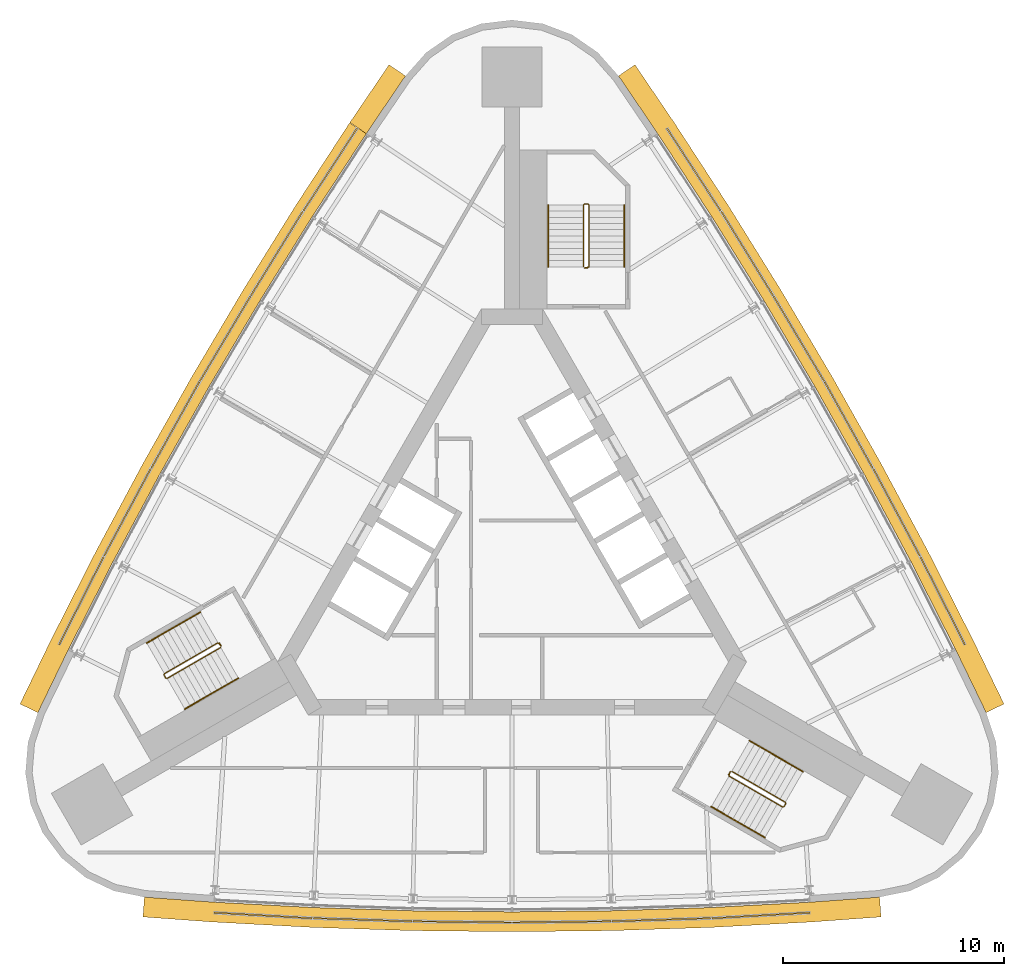
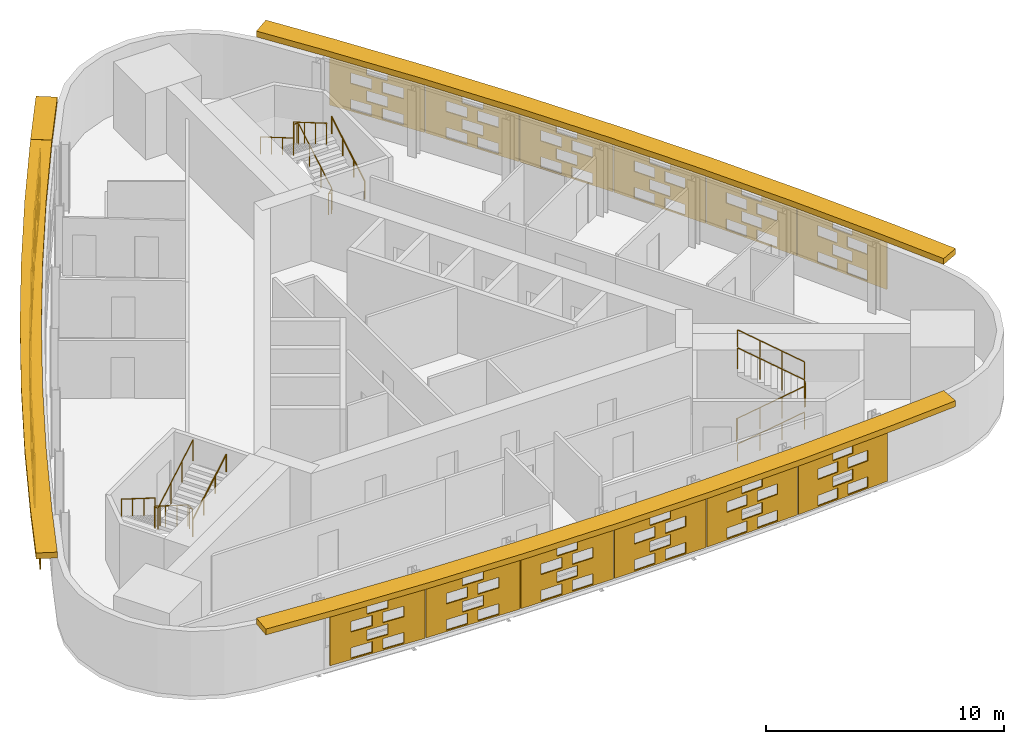
# One storey, part 10 of 10: 22 shading devices, 9 railings.
"""IFC4 building model written with IfcOpenShell, lengths in metres."""

import ifcopenshell
import ifcopenshell.guid

model = None  # the IFC model being written
_history = None  # IfcOwnerHistory: only IFC2X3 demands one
_inside = {}  # id of a spatial element -> (the spatial element, [elements in it])
_under = {}  # id of a project, library or spatial element -> (it, [spatial elements below it])
_declared = {}  # id of a project -> (the project, [libraries it declares])
_typed = {}  # id of a type object -> (the type object, [elements of that type])
_made_of = {}  # id of a material, layer set ... -> (it, [elements and type objects made of it])


def new_model(schema):
    """Start an empty IFC model of exactly this schema.

    Asked for "IFC4X3", IfcOpenShell would pick the latest addendum, in which some entities
    have other attributes; the version numbers below select the first issue.
    IFC2X3 requires an IfcOwnerHistory on every rooted entity: one is made here for all.
    """
    global model, _history
    if schema == "IFC4X3":
        model = ifcopenshell.file(schema_version=(4, 3, 0, 0))
    else:
        model = ifcopenshell.file(schema=schema)
    _inside.clear()
    _under.clear()
    _declared.clear()
    _typed.clear()
    _made_of.clear()
    _history = None
    if model.schema == "IFC2X3":
        org = make("IfcOrganization", Name="unknown")
        user = make(
            "IfcPersonAndOrganization",
            ThePerson=make("IfcPerson", FamilyName="unknown"),
            TheOrganization=org,
        )
        app = make(
            "IfcApplication",
            ApplicationDeveloper=org,
            Version="unknown",
            ApplicationFullName="unknown",
            ApplicationIdentifier="unknown",
        )
        _history = make(
            "IfcOwnerHistory",
            OwningUser=user,
            OwningApplication=app,
            ChangeAction="ADDED",
            CreationDate=0,
        )
    return model


def make(cls, **values):
    """One entity of the class cls with the attributes given. An attribute that is None is left unset."""
    return model.create_entity(
        cls, **{name: value for name, value in values.items() if value is not None}
    )


def rooted(cls, **values):
    """An entity with a GlobalId (a new one), such as an element, a storey or a relation."""
    return make(cls, GlobalId=ifcopenshell.guid.new(), OwnerHistory=_history, **values)


def si_unit(unit_type, name, prefix=None):
    """IfcSIUnit, for example si_unit("LENGTHUNIT", "METRE", prefix="MILLI")."""
    return make("IfcSIUnit", UnitType=unit_type, Prefix=prefix, Name=name)


def assignment(units):
    """IfcUnitAssignment: the units of a project."""
    return None if units is None else make("IfcUnitAssignment", Units=units)


def point(xyz):
    """IfcCartesianPoint."""
    return None if xyz is None else make("IfcCartesianPoint", Coordinates=xyz)


def direction(xyz):
    """IfcDirection."""
    return None if xyz is None else make("IfcDirection", DirectionRatios=xyz)


def frame(location, z_axis=None, x_axis=None):
    """IfcAxis2Placement3D, a coordinate frame: its origin and axes. An axis left out is left unset."""
    return make(
        "IfcAxis2Placement3D",
        Location=point(location),
        Axis=direction(z_axis),
        RefDirection=direction(x_axis),
    )


def frame_2d(location, x_axis=None):
    """IfcAxis2Placement2D, a coordinate frame in the plane: its origin and x axis."""
    return make(
        "IfcAxis2Placement2D", Location=point(location), RefDirection=direction(x_axis)
    )


def origin():
    """The frame at (0, 0, 0) with its axes left unset."""
    return frame((0.0, 0.0, 0.0))


def origin_2d():
    """The frame at (0, 0) in the plane with its x axis left unset."""
    return frame_2d((0.0, 0.0))


def place(relative_to, where):
    """IfcLocalPlacement: puts the frame where relative to a parent placement (None: the world)."""
    return make(
        "IfcLocalPlacement", PlacementRelTo=relative_to, RelativePlacement=where
    )


def context(
    kind, dimensions, precision=None, world=None, true_north=None, identifier=None
):
    """IfcGeometricRepresentationContext, for example the 3D "Model" context."""
    return make(
        "IfcGeometricRepresentationContext",
        ContextIdentifier=identifier,
        ContextType=kind,
        CoordinateSpaceDimension=dimensions,
        Precision=precision,
        WorldCoordinateSystem=world,
        TrueNorth=true_north,
    )


def subcontext(parent, identifier, kind, view, scale=None):
    """IfcGeometricRepresentationSubContext, for example "Body" below "Model"."""
    return make(
        "IfcGeometricRepresentationSubContext",
        ContextIdentifier=identifier,
        ContextType=kind,
        ParentContext=parent,
        TargetScale=scale,
        TargetView=view,
    )


def project(units=None, contexts=None):
    """IfcProject with its units and contexts."""
    return rooted(
        "IfcProject",
        Name="project",
        RepresentationContexts=contexts,
        UnitsInContext=assignment(units),
    )


def spatial(cls, under=None, at=None, **own):
    """A site, building, storey or space (cls), placed at a placement, below another one or the project."""
    s = rooted(cls, ObjectPlacement=at, **own)
    if under is not None:
        _under.setdefault(under.id(), (under, []))[1].append(s)
    return s


def polyline(points):
    """IfcPolyline through the points."""
    return make("IfcPolyline", Points=[point(p) for p in points])


def profile(cls, at=None, kind="AREA", **sizes):
    """A parametric profile (cls). Its sizes go by their IFC names, for example OverallWidth=200.0."""
    return make(cls, ProfileType=kind, Position=at, **sizes)


def circle(**sizes):
    """IfcCircleProfileDef."""
    return profile("IfcCircleProfileDef", **sizes)


def outline(outer, holes=None, kind="AREA"):
    """IfcArbitraryClosedProfileDef: a profile drawn as a closed curve; with holes, ...WithVoids."""
    if holes is None:
        return make("IfcArbitraryClosedProfileDef", ProfileType=kind, OuterCurve=outer)
    return make(
        "IfcArbitraryProfileDefWithVoids",
        ProfileType=kind,
        OuterCurve=outer,
        InnerCurves=holes,
    )


def extrude(swept, where, along, depth):
    """IfcExtrudedAreaSolid: the profile swept, set in the frame where, extruded along a direction by depth."""
    return make(
        "IfcExtrudedAreaSolid",
        SweptArea=swept,
        Position=where,
        ExtrudedDirection=direction(along),
        Depth=depth,
    )


def shape(context_of_items, identifier, shape_type, items):
    """IfcShapeRepresentation: the items that make up one representation, for example the "Body"."""
    return make(
        "IfcShapeRepresentation",
        ContextOfItems=context_of_items,
        RepresentationIdentifier=identifier,
        RepresentationType=shape_type,
        Items=items,
    )


def material(Name=None, Category=None):
    """IfcMaterial."""
    return make("IfcMaterial", Name=Name, Category=Category)


def material_profile(
    of_material, cross_section, Name=None, Category=None, Priority=None
):
    """IfcMaterialProfile: a cross section and its material."""
    return make(
        "IfcMaterialProfile",
        Name=Name,
        Material=of_material,
        Profile=cross_section,
        Priority=Priority,
        Category=Category,
    )


def profile_set(profiles, Name=None, composite=None):
    """IfcMaterialProfileSet."""
    return make(
        "IfcMaterialProfileSet",
        Name=Name,
        MaterialProfiles=profiles,
        CompositeProfile=composite,
    )


def made_of(thing, what):
    """Note that an element or type object is made of a material, layer set ...; save() writes the relation."""
    if what is not None:
        _made_of.setdefault(what.id(), (what, []))[1].append(thing)
    return thing


def type_object(cls, material=None, **own):
    """A type object (cls), such as IfcWallType, which elements share."""
    return made_of(rooted(cls, **own), material)


def element(
    cls,
    number,
    at=None,
    inside=None,
    cuts=None,
    type_object=None,
    material=None,
    context=None,
    identifier="Body",
    shape_type=None,
    held_by="IfcProductDefinitionShape",
    body=None,
    shapes=None,
    **own,
):
    """One element of the class cls, such as IfcWall. Its Tag is "e" and its number.

    at: its placement. inside: the storey or other place that contains it. cuts: it is an
    opening in that element (IfcRelVoidsElement). A single representation is given by context,
    identifier, shape_type and body (its items); several are given by shapes. held_by: the class
    of the entity that holds the representations. save() writes the other relations.
    """
    e = rooted(cls, Tag="e%d" % number, ObjectPlacement=at, **own)
    if body is not None:
        shapes = [shape(context, identifier, shape_type, body)]
    if shapes is not None:
        e.Representation = make(held_by, Representations=shapes)
    if inside is not None:
        _inside.setdefault(inside.id(), (inside, []))[1].append(e)
    if cuts is not None:
        rooted(
            "IfcRelVoidsElement", RelatingBuildingElement=cuts, RelatedOpeningElement=e
        )
    if type_object is not None:
        _typed.setdefault(type_object.id(), (type_object, []))[1].append(e)
    return made_of(e, material)


def aggregate(whole, parts):
    """IfcRelAggregates: a whole, such as a stair, and the parts it consists of."""
    return rooted("IfcRelAggregates", RelatingObject=whole, RelatedObjects=parts)


def save(model, path):
    """Write the relations noted so far, then the file.

    IfcRelAggregates (storeys below a building ...), IfcRelContainedInSpatialStructure (elements
    in a storey), IfcRelDefinesByType, IfcRelAssociatesMaterial and IfcRelDeclares: one each for
    every whole, place, type object, material and project.
    """
    for whole, parts in _under.values():
        aggregate(whole, parts)
    for where, things in _inside.values():
        rooted(
            "IfcRelContainedInSpatialStructure",
            RelatedElements=things,
            RelatingStructure=where,
        )
    for kind, things in _typed.values():
        rooted("IfcRelDefinesByType", RelatedObjects=things, RelatingType=kind)
    for what, things in _made_of.values():
        rooted("IfcRelAssociatesMaterial", RelatedObjects=things, RelatingMaterial=what)
    for by, libraries in _declared.values():
        rooted("IfcRelDeclares", RelatingContext=by, RelatedDefinitions=libraries)
    model.write(path)


model = new_model("IFC4")

# Units and contexts
model_context = context("Model", 3, precision=1e-05, world=origin(), true_north=direction((0.0, 1.0)))
body_context = subcontext(model_context, "Body", "Model", "MODEL_VIEW")
ifc_project = project(units=[si_unit("LENGTHUNIT", "METRE"), si_unit("AREAUNIT", "SQUARE_METRE"), si_unit("VOLUMEUNIT", "CUBIC_METRE"), si_unit("PLANEANGLEUNIT", "RADIAN"), si_unit("MASSUNIT", "GRAM", prefix="KILO")], contexts=[model_context])

# Site, building, storey
site_placement = place(None, origin())
site = spatial("IfcSite", under=ifc_project, at=site_placement, CompositionType="ELEMENT")
building_placement = place(site_placement, origin())
building = spatial("IfcBuilding", under=site, at=building_placement, Name="Noor Cloister Tower", CompositionType="ELEMENT")
storey_placement = place(building_placement, frame((0.0, 0.0, 199.5)))
storey = spatial("IfcBuildingStorey", under=building, at=storey_placement, Name="L51", CompositionType="ELEMENT", Elevation=199.5)

# Shading devices
ifc_material_1 = material(Name="Limestone", Category="masonry")
ifc_material_profile = material_profile(ifc_material_1, outline(polyline([(-2.22998046875, -1.35009765625), (2.22998046875, -1.35009765625), (2.22998046875, 1.35009765625), (-2.22998046875, 1.35009765625), (-2.22998046875, -1.35009765625)]), holes=[polyline([(-1.25, -1.282470703125), (-0.25, -1.282470703125), (-0.25, -0.742431640625), (-1.25, -0.742431640625), (-1.25, -1.282470703125)]), polyline([(0.25, -1.282470703125), (1.25, -1.282470703125), (1.25, -0.742431640625), (0.25, -0.742431640625), (0.25, -1.282470703125)]), polyline([(-0.5, -0.607421875), (0.5, -0.607421875), (0.5, -0.0673828125), (-0.5, -0.0673828125), (-0.5, -0.607421875)]), polyline([(-1.25, 0.0673828125), (-0.25, 0.0673828125), (-0.25, 0.607421875), (-1.25, 0.607421875), (-1.25, 0.0673828125)]), polyline([(0.25, 0.0673828125), (1.25, 0.0673828125), (1.25, 0.607421875), (0.25, 0.607421875), (0.25, 0.0673828125)]), polyline([(-0.5, 0.742431640625), (0.5, 0.742431640625), (0.5, 1.282470703125), (-0.5, 1.282470703125), (-0.5, 0.742431640625)])]), Name="Woven screen 32 percent open")
ifc_profile_set = profile_set([ifc_material_profile], Name="Limestone")
shading_device_type_1 = type_object("IfcShadingDeviceType", Name="SCREEN woven limestone 32 percent open", PredefinedType="USERDEFINED", material=ifc_profile_set)
for number, where, z_axis, x_axis, name in (
    (1, (-8.20068359375, 17.74609375, 1.85009765625), (-0.838257628123, 0.545274379459, 0.0), (-0.545274379459, -0.838257628123, 0.0), "SCREEN L51 1"),
    (2, (-10.622314453125, 13.942138671875, 1.85009765625), (-0.850958576931, 0.525232805857, 0.0), (-0.525232805857, -0.850958576931, 0.0), "SCREEN L51 2"),
):
    element("IfcShadingDevice", number, at=place(storey_placement, frame(where, z_axis=z_axis, x_axis=x_axis)), inside=storey, type_object=shading_device_type_1, Name=name, ObjectType="SCREEN", PredefinedType="USERDEFINED", context=body_context, shape_type="SweptSolid", body=[
        extrude(outline(polyline([(-2.22998046875, -1.35009765625), (2.22998046875, -1.35009765625), (2.22998046875, 1.35009765625), (-2.22998046875, 1.35009765625), (-2.22998046875, -1.35009765625)]), holes=[polyline([(-1.25, -1.282470703125), (-0.25, -1.282470703125), (-0.25, -0.742431640625), (-1.25, -0.742431640625), (-1.25, -1.282470703125)]), polyline([(0.25, -1.282470703125), (1.25, -1.282470703125), (1.25, -0.742431640625), (0.25, -0.742431640625), (0.25, -1.282470703125)]), polyline([(-0.5, -0.607421875), (0.5, -0.607421875), (0.5, -0.0673828125), (-0.5, -0.0673828125), (-0.5, -0.607421875)]), polyline([(-1.25, 0.0673828125), (-0.25, 0.0673828125), (-0.25, 0.607421875), (-1.25, 0.607421875), (-1.25, 0.0673828125)]), polyline([(0.25, 0.0673828125), (1.25, 0.0673828125), (1.25, 0.607421875), (0.25, 0.607421875), (0.25, 0.0673828125)]), polyline([(-0.5, 0.742431640625), (0.5, 0.742431640625), (0.5, 1.282470703125), (-0.5, 1.282470703125), (-0.5, 0.742431640625)])]), origin(), (0.0, 0.0, 1.0), 0.06005859375),
    ])
shading_device_1_placement = place(storey_placement, frame((-12.9609375, 10.08642578125, 1.85009765625), z_axis=(-0.85963215675, 0.510913451654, 0.0), x_axis=(-0.510913451654, -0.85963215675, 0.0)))
element("IfcShadingDevice", 3, at=shading_device_1_placement, inside=storey, type_object=shading_device_type_1, Name="SCREEN L51 3", ObjectType="SCREEN", PredefinedType="USERDEFINED", context=body_context, shape_type="SweptSolid", body=[
    extrude(outline(polyline([(-2.22998046875, -1.35009765625), (2.22998046875, -1.35009765625), (2.22998046875, 1.35009765625), (-2.22998046875, 1.35009765625), (-2.22998046875, -1.35009765625)]), holes=[polyline([(-1.25, -1.282470703125), (-0.25, -1.282470703125), (-0.25, -0.742431640625), (-1.25, -0.742431640625), (-1.25, -1.282470703125)]), polyline([(0.25, -1.282470703125), (1.25, -1.282470703125), (1.25, -0.742431640625), (0.25, -0.742431640625), (0.25, -1.282470703125)]), polyline([(-0.5, -0.607421875), (0.5, -0.607421875), (0.5, -0.0673828125), (-0.5, -0.0673828125), (-0.5, -0.607421875)]), polyline([(-1.25, 0.0673828125), (-0.25, 0.0673828125), (-0.25, 0.607421875), (-1.25, 0.607421875), (-1.25, 0.0673828125)]), polyline([(0.25, 0.0673828125), (1.25, 0.0673828125), (1.25, 0.607421875), (0.25, 0.607421875), (0.25, 0.0673828125)]), polyline([(-0.5, 0.742431640625), (0.5, 0.742431640625), (0.5, 1.282470703125), (-0.5, 1.282470703125), (-0.5, 0.742431640625)])]), origin(), (0.0, 0.0, 1.0), 0.060302734375),
])
for number, where, z_axis, x_axis, name in (
    (4, (-15.215576171875, 6.181396484375, 1.85009765625), (-0.873197702015, 0.487366159264, 0.0), (-0.487366159264, -0.873197702015, 0.0), "SCREEN L51 4"),
    (5, (-17.38525390625, 2.228271484375, 1.85009765625), (-0.88190253726, 0.47143177107, 0.0), (-0.47143177107, -0.88190253726, 0.0), "SCREEN L51 5"),
    (6, (-19.468994140625, -1.77099609375, 1.85009765625), (-0.891970083601, 0.452094425935, 0.0), (-0.452094425935, -0.891970083601, 0.0), "SCREEN L51 6"),
    (7, (-11.26806640625, -15.97509765625, 1.85009765625), (-0.056818631031, -0.998384516691, 0.0), (0.998384516691, -0.056818631031, 0.0), "SCREEN L51 1"),
    (8, (-6.762939453125, -16.170166015625, 1.85009765625), (-0.032503142546, -0.999471633277, 0.0), (0.999471633277, -0.032503142546, 0.0), "SCREEN L51 2"),
    (9, (-2.254638671875, -16.267822265625, 1.85009765625), (-0.012194215217, -0.999925647793, 0.0), (0.999925647793, -0.012194215217, 0.0), "SCREEN L51 3"),
    (10, (2.254638671875, -16.267822265625, 1.85009765625), (0.012194215217, -0.999925647793, 0.0), (0.999925647793, 0.012194215217, 0.0), "SCREEN L51 4"),
    (11, (6.762939453125, -16.170166015625, 1.85009765625), (0.032503142546, -0.999471633277, 0.0), (0.999471633277, 0.032503142546, 0.0), "SCREEN L51 5"),
    (12, (11.26806640625, -15.97509765625, 1.85009765625), (0.056818631031, -0.998384516691, 0.0), (0.998384516691, 0.056818631031, 0.0), "SCREEN L51 6"),
    (13, (19.468994140625, -1.77099609375, 1.85009765625), (0.891970083601, 0.452094425935, 0.0), (-0.452094425935, 0.891970083601, 0.0), "SCREEN L51 1"),
    (14, (17.38525390625, 2.228271484375, 1.85009765625), (0.88190253726, 0.47143177107, 0.0), (-0.47143177107, 0.88190253726, 0.0), "SCREEN L51 2"),
    (15, (15.215576171875, 6.181396484375, 1.85009765625), (0.873197702015, 0.487366159264, 0.0), (-0.487366159264, 0.873197702015, 0.0), "SCREEN L51 3"),
):
    element("IfcShadingDevice", number, at=place(storey_placement, frame(where, z_axis=z_axis, x_axis=x_axis)), inside=storey, type_object=shading_device_type_1, Name=name, ObjectType="SCREEN", PredefinedType="USERDEFINED", context=body_context, shape_type="SweptSolid", body=[
        extrude(outline(polyline([(-2.22998046875, -1.35009765625), (2.22998046875, -1.35009765625), (2.22998046875, 1.35009765625), (-2.22998046875, 1.35009765625), (-2.22998046875, -1.35009765625)]), holes=[polyline([(-1.25, -1.282470703125), (-0.25, -1.282470703125), (-0.25, -0.742431640625), (-1.25, -0.742431640625), (-1.25, -1.282470703125)]), polyline([(0.25, -1.282470703125), (1.25, -1.282470703125), (1.25, -0.742431640625), (0.25, -0.742431640625), (0.25, -1.282470703125)]), polyline([(-0.5, -0.607421875), (0.5, -0.607421875), (0.5, -0.0673828125), (-0.5, -0.0673828125), (-0.5, -0.607421875)]), polyline([(-1.25, 0.0673828125), (-0.25, 0.0673828125), (-0.25, 0.607421875), (-1.25, 0.607421875), (-1.25, 0.0673828125)]), polyline([(0.25, 0.0673828125), (1.25, 0.0673828125), (1.25, 0.607421875), (0.25, 0.607421875), (0.25, 0.0673828125)]), polyline([(-0.5, 0.742431640625), (0.5, 0.742431640625), (0.5, 1.282470703125), (-0.5, 1.282470703125), (-0.5, 0.742431640625)])]), origin(), (0.0, 0.0, 1.0), 0.06005859375),
    ])
shading_device_2_placement = place(storey_placement, frame((12.9609375, 10.08642578125, 1.85009765625), z_axis=(0.85963215675, 0.510913451654, 0.0), x_axis=(-0.510913451654, 0.85963215675, 0.0)))
element("IfcShadingDevice", 16, at=shading_device_2_placement, inside=storey, type_object=shading_device_type_1, Name="SCREEN L51 4", ObjectType="SCREEN", PredefinedType="USERDEFINED", context=body_context, shape_type="SweptSolid", body=[
    extrude(outline(polyline([(-2.22998046875, -1.35009765625), (2.22998046875, -1.35009765625), (2.22998046875, 1.35009765625), (-2.22998046875, 1.35009765625), (-2.22998046875, -1.35009765625)]), holes=[polyline([(-1.25, -1.282470703125), (-0.25, -1.282470703125), (-0.25, -0.742431640625), (-1.25, -0.742431640625), (-1.25, -1.282470703125)]), polyline([(0.25, -1.282470703125), (1.25, -1.282470703125), (1.25, -0.742431640625), (0.25, -0.742431640625), (0.25, -1.282470703125)]), polyline([(-0.5, -0.607421875), (0.5, -0.607421875), (0.5, -0.0673828125), (-0.5, -0.0673828125), (-0.5, -0.607421875)]), polyline([(-1.25, 0.0673828125), (-0.25, 0.0673828125), (-0.25, 0.607421875), (-1.25, 0.607421875), (-1.25, 0.0673828125)]), polyline([(0.25, 0.0673828125), (1.25, 0.0673828125), (1.25, 0.607421875), (0.25, 0.607421875), (0.25, 0.0673828125)]), polyline([(-0.5, 0.742431640625), (0.5, 0.742431640625), (0.5, 1.282470703125), (-0.5, 1.282470703125), (-0.5, 0.742431640625)])]), origin(), (0.0, 0.0, 1.0), 0.060302734375),
])
for number, where, z_axis, x_axis, name in (
    (17, (10.622314453125, 13.942138671875, 1.85009765625), (0.850958576931, 0.525232805857, 0.0), (-0.525232805857, 0.850958576931, 0.0), "SCREEN L51 5"),
    (18, (8.20068359375, 17.74609375, 1.85009765625), (0.838257628123, 0.545274379459, 0.0), (-0.545274379459, 0.838257628123, 0.0), "SCREEN L51 6"),
):
    element("IfcShadingDevice", number, at=place(storey_placement, frame(where, z_axis=z_axis, x_axis=x_axis)), inside=storey, type_object=shading_device_type_1, Name=name, ObjectType="SCREEN", PredefinedType="USERDEFINED", context=body_context, shape_type="SweptSolid", body=[
        extrude(outline(polyline([(-2.22998046875, -1.35009765625), (2.22998046875, -1.35009765625), (2.22998046875, 1.35009765625), (-2.22998046875, 1.35009765625), (-2.22998046875, -1.35009765625)]), holes=[polyline([(-1.25, -1.282470703125), (-0.25, -1.282470703125), (-0.25, -0.742431640625), (-1.25, -0.742431640625), (-1.25, -1.282470703125)]), polyline([(0.25, -1.282470703125), (1.25, -1.282470703125), (1.25, -0.742431640625), (0.25, -0.742431640625), (0.25, -1.282470703125)]), polyline([(-0.5, -0.607421875), (0.5, -0.607421875), (0.5, -0.0673828125), (-0.5, -0.0673828125), (-0.5, -0.607421875)]), polyline([(-1.25, 0.0673828125), (-0.25, 0.0673828125), (-0.25, 0.607421875), (-1.25, 0.607421875), (-1.25, 0.0673828125)]), polyline([(0.25, 0.0673828125), (1.25, 0.0673828125), (1.25, 0.607421875), (0.25, 0.607421875), (0.25, 0.0673828125)]), polyline([(-0.5, 0.742431640625), (0.5, 0.742431640625), (0.5, 1.282470703125), (-0.5, 1.282470703125), (-0.5, 0.742431640625)])]), origin(), (0.0, 0.0, 1.0), 0.06005859375),
    ])
ifc_material_2 = material(Name="Limestone", Category="masonry")
shading_device_type_2 = type_object("IfcShadingDeviceType", Name="SUNSHADE limestone band 900", PredefinedType="USERDEFINED", material=ifc_material_2)
shading_device_3_placement = place(storey_placement, frame((0.0, 0.0, 3.300048828125)))
element("IfcShadingDevice", 19, at=shading_device_3_placement, inside=storey, type_object=shading_device_type_2, Name="SUNSHADE L51 1", ObjectType="SUNSHADE", PredefinedType="USERDEFINED", context=body_context, shape_type="SweptSolid", body=[
    extrude(outline(polyline([(-7.34912109375, 19.876708984375), (-9.811767578125, 16.098876953125), (-12.197265625, 12.26025390625), (-14.499267578125, 8.37109375), (-16.71630859375, 4.43310546875), (-18.847900390625, 0.44775390625), (-20.89208984375, -3.581298828125), (-22.272705078125, -6.431640625), (-21.462646484375, -6.823974609375), (-20.085693359375, -3.98095703125), (-18.0498046875, 0.031982421875), (-15.927490234375, 4.0), (-13.7197265625, 7.921142578125), (-11.427734375, 11.79345703125), (-9.052490234375, 15.615478515625), (-6.59521484375, 19.38525390625), (-7.34912109375, 19.876708984375)])), origin(), (0.0, 0.0, 1.0), 0.300048828125),
])
shading_device_4_placement = place(storey_placement, frame((0.0, 0.0, 3.300048828125)))
element("IfcShadingDevice", 20, at=shading_device_4_placement, inside=storey, type_object=shading_device_type_2, Name="SUNSHADE L51 2", ObjectType="SUNSHADE", PredefinedType="USERDEFINED", context=body_context, shape_type="SweptSolid", body=[
    extrude(outline(polyline([(-16.706298828125, -16.072998046875), (-13.54736328125, -16.302490234375), (-9.0361328125, -16.546630859375), (-4.51904296875, -16.693359375), (0.0, -16.7421875), (4.51904296875, -16.693359375), (9.0361328125, -16.546630859375), (13.54736328125, -16.302490234375), (16.706298828125, -16.072998046875), (16.640869140625, -15.17529296875), (13.490478515625, -15.404052734375), (8.9970703125, -15.6474609375), (4.499755859375, -15.79345703125), (0.0, -15.84228515625), (-4.499755859375, -15.79345703125), (-8.9970703125, -15.6474609375), (-13.490478515625, -15.404052734375), (-16.640869140625, -15.17529296875), (-16.706298828125, -16.072998046875)])), origin(), (0.0, 0.0, 1.0), 0.300048828125),
])
shading_device_5_placement = place(storey_placement, frame((0.0, 0.0, 3.300048828125)))
element("IfcShadingDevice", 21, at=shading_device_5_placement, inside=storey, type_object=shading_device_type_2, Name="SUNSHADE L51 3", ObjectType="SUNSHADE", PredefinedType="USERDEFINED", context=body_context, shape_type="SweptSolid", body=[
    extrude(outline(polyline([(22.272705078125, -6.431640625), (20.89208984375, -3.581298828125), (18.847900390625, 0.44775390625), (16.71630859375, 4.43310546875), (14.499267578125, 8.37109375), (12.197265625, 12.26025390625), (9.811767578125, 16.098876953125), (7.344482421875, 19.883544921875), (5.56640625, 22.50439453125), (4.82177734375, 21.9990234375), (6.59521484375, 19.38525390625), (9.052490234375, 15.615478515625), (11.427734375, 11.79345703125), (13.7197265625, 7.921142578125), (15.927490234375, 4.0), (18.0498046875, 0.031982421875), (20.085693359375, -3.98095703125), (21.462646484375, -6.823974609375), (22.272705078125, -6.431640625)])), origin(), (0.0, 0.0, 1.0), 0.300048828125),
])
shading_device_6_placement = place(storey_placement, frame((0.0, 0.0, 3.300048828125)))
element("IfcShadingDevice", 22, at=shading_device_6_placement, inside=storey, type_object=shading_device_type_2, Name="SUNSHADE L51 4", ObjectType="SUNSHADE", PredefinedType="USERDEFINED", context=body_context, shape_type="SweptSolid", body=[
    extrude(outline(polyline([(-5.56640625, 22.50439453125), (-7.33984375, 19.890380859375), (-6.59521484375, 19.38525390625), (-4.82177734375, 21.9990234375), (-5.56640625, 22.50439453125)])), origin(), (0.0, 0.0, 1.0), 0.300048828125),
])

# Railings
ifc_material_3 = material(Name="Stainless steel", Category="steel")
railing_type_1 = type_object("IfcRailingType", Name="Stair guard 1100", PredefinedType="GUARDRAIL", material=ifc_material_3)
railing_1_placement = place(storey_placement, frame((3.435546875, 13.306396484375, 0.0)))
element("IfcRailing", 23, at=railing_1_placement, inside=storey, type_object=railing_type_1, Name="Stair guard ST1 L51", PredefinedType="GUARDRAIL", context=body_context, shape_type="SweptSolid", body=[
    extrude(circle(Radius=0.02392578125, at=origin_2d()), frame((0.0, 0.0, 1.076171875), z_axis=(-1.0, 0.0, 0.0), x_axis=(0.0, -1.0, 0.0)), (0.0, 0.0, 1.0), 0.14990234375),
    extrude(circle(Radius=0.02392578125, at=origin_2d()), frame((-0.14990234375, 0.0, 1.076171875), z_axis=(0.759870394187, 0.190199549216, 0.621627795), x_axis=(-0.242814311512, 0.970072785993, 0.0)), (0.0, 0.0, 1.0), 0.26318359375),
    extrude(circle(Radius=0.02392578125, at=origin_2d()), frame((0.050048828125, 0.050048828125, 1.23974609375), z_axis=(0.0, 0.863360870873, 0.504586966384), x_axis=(-1.0, 0.0, 0.0)), (0.0, 0.0, 1.0), 3.2431640625),
    extrude(circle(Radius=0.02392578125, at=origin_2d()), frame((0.050048828125, 2.85009765625, 2.8759765625), z_axis=(-0.708833529934, 0.705375805398, 0.0), x_axis=(-0.705375805398, -0.708833529934, 0.0)), (0.0, 0.0, 1.0), 0.070556640625),
    extrude(circle(Radius=0.02392578125, at=origin_2d()), frame((0.0, 2.89990234375, 2.8759765625), z_axis=(-1.0, 0.0, 0.0), x_axis=(0.0, -1.0, 0.0)), (0.0, 0.0, 1.0), 0.14990234375),
    extrude(circle(Radius=0.02392578125, at=origin_2d()), frame((-0.14990234375, 2.89990234375, 2.8759765625), z_axis=(-0.280916556609, -0.279546231943, 0.91811752648), x_axis=(0.705375805398, -0.708833529934, 0.0)), (0.0, 0.0, 1.0), 0.17822265625),
    extrude(circle(Radius=0.02392578125, at=origin_2d()), frame((-0.199951171875, 2.85009765625, 3.03955078125), z_axis=(0.0, -0.863360870873, 0.504586966384), x_axis=(1.0, 0.0, 0.0)), (0.0, 0.0, 1.0), 3.2431640625),
    extrude(circle(Radius=0.02099609375, at=origin_2d()), origin(), (0.0, 0.0, 1.0), 1.052001953125),
    extrude(circle(Radius=0.02099609375, at=origin_2d()), frame((-0.14990234375, 0.0, 0.0)), (0.0, 0.0, 1.0), 1.052001953125),
    extrude(circle(Radius=0.02099609375, at=origin_2d()), frame((0.050048828125, 0.050048828125, 0.16357421875)), (0.0, 0.0, 1.0), 1.052001953125),
    extrude(circle(Radius=0.02099609375, at=origin_2d()), frame((0.050048828125, 0.9833984375, 0.708984375)), (0.0, 0.0, 1.0), 1.052001953125),
    extrude(circle(Radius=0.02099609375, at=origin_2d()), frame((0.050048828125, 1.916748046875, 1.254638671875)), (0.0, 0.0, 1.0), 1.052001953125),
    extrude(circle(Radius=0.02099609375, at=origin_2d()), frame((0.050048828125, 2.85009765625, 1.800048828125)), (0.0, 0.0, 1.0), 1.052001953125),
    extrude(circle(Radius=0.02099609375, at=origin_2d()), frame((0.0, 2.89990234375, 1.800048828125)), (0.0, 0.0, 1.0), 1.052001953125),
    extrude(circle(Radius=0.02099609375, at=origin_2d()), frame((-0.14990234375, 2.89990234375, 1.800048828125)), (0.0, 0.0, 1.0), 1.052001953125),
    extrude(circle(Radius=0.02099609375, at=origin_2d()), frame((-0.199951171875, 2.85009765625, 1.963623046875)), (0.0, 0.0, 1.0), 1.052001953125),
    extrude(circle(Radius=0.02099609375, at=origin_2d()), frame((-0.199951171875, 1.916748046875, 2.509033203125)), (0.0, 0.0, 1.0), 1.052001953125),
    extrude(circle(Radius=0.02099609375, at=origin_2d()), frame((-0.199951171875, 0.9833984375, 3.0546875)), (0.0, 0.0, 1.0), 1.052001953125),
    extrude(circle(Radius=0.02099609375, at=origin_2d()), frame((-0.199951171875, 0.050048828125, 3.60009765625)), (0.0, 0.0, 1.0), 1.052001953125),
])
railing_2_placement = place(storey_placement, frame((-13.241455078125, -3.677734375, 0.0)))
element("IfcRailing", 24, at=railing_2_placement, inside=storey, type_object=railing_type_1, Name="Stair guard ST2 L51", PredefinedType="GUARDRAIL", context=body_context, shape_type="SweptSolid", body=[
    extrude(circle(Radius=0.02392578125, at=origin_2d()), frame((0.0, 0.0, 1.076171875), z_axis=(0.499112439033, -0.866537231285, 0.0), x_axis=(0.866537231285, 0.499112439033, 0.0)), (0.0, 0.0, 1.0), 0.150146484375),
    extrude(circle(Radius=0.02392578125, at=origin_2d()), frame((0.074951171875, -0.130126953125, 1.076171875), z_axis=(-0.544565797804, 0.563119998752, 0.621565731736), x_axis=(-0.718850276695, -0.695164929852, 0.0)), (0.0, 0.0, 1.0), 0.26318359375),
    extrude(circle(Radius=0.02392578125, at=origin_2d()), frame((-0.068359375, 0.01806640625, 1.23974609375), z_axis=(-0.747689811644, -0.431660630283, 0.504607813879), x_axis=(0.49998411664, -0.866034573852, 0.0)), (0.0, 0.0, 1.0), 3.2431640625),
    extrude(circle(Radius=0.02392578125, at=origin_2d()), frame((-2.4931640625, -1.3818359375, 2.8759765625), z_axis=(-0.258736085224, -0.965948051503, 0.0), x_axis=(0.965948051503, -0.258736085224, 0.0)), (0.0, 0.0, 1.0), 0.07080078125),
    extrude(circle(Radius=0.02392578125, at=origin_2d()), frame((-2.511474609375, -1.4501953125, 2.8759765625), z_axis=(0.499816412211, -0.866131372301, 0.0), x_axis=(0.866131372301, 0.499816412211, 0.0)), (0.0, 0.0, 1.0), 0.14990234375),
    extrude(circle(Radius=0.02392578125, at=origin_2d()), frame((-2.4365234375, -1.580078125, 2.8759765625), z_axis=(0.383552647116, -0.102737316192, 0.917786691313), x_axis=(0.258736085224, 0.965948051503, 0.0)), (0.0, 0.0, 1.0), 0.17822265625),
    extrude(circle(Radius=0.02392578125, at=origin_2d()), frame((-2.3681640625, -1.598388671875, 3.03955078125), z_axis=(0.747665513933, 0.431721881032, 0.504591415616), x_axis=(-0.500049511043, 0.865996816683, 0.0)), (0.0, 0.0, 1.0), 3.2431640625),
    extrude(circle(Radius=0.02099609375, at=origin_2d()), origin(), (0.0, 0.0, 1.0), 1.052001953125),
    extrude(circle(Radius=0.02099609375, at=origin_2d()), frame((0.074951171875, -0.130126953125, 0.0)), (0.0, 0.0, 1.0), 1.052001953125),
    extrude(circle(Radius=0.02099609375, at=origin_2d()), frame((-0.068359375, 0.01806640625, 0.16357421875)), (0.0, 0.0, 1.0), 1.052001953125),
    extrude(circle(Radius=0.02099609375, at=origin_2d()), frame((-0.876708984375, -0.448486328125, 0.708984375)), (0.0, 0.0, 1.0), 1.052001953125),
    extrude(circle(Radius=0.02099609375, at=origin_2d()), frame((-1.684814453125, -0.915283203125, 1.254638671875)), (0.0, 0.0, 1.0), 1.052001953125),
    extrude(circle(Radius=0.02099609375, at=origin_2d()), frame((-2.4931640625, -1.3818359375, 1.800048828125)), (0.0, 0.0, 1.0), 1.052001953125),
    extrude(circle(Radius=0.02099609375, at=origin_2d()), frame((-2.511474609375, -1.4501953125, 1.800048828125)), (0.0, 0.0, 1.0), 1.052001953125),
    extrude(circle(Radius=0.02099609375, at=origin_2d()), frame((-2.4365234375, -1.580078125, 1.800048828125)), (0.0, 0.0, 1.0), 1.052001953125),
    extrude(circle(Radius=0.02099609375, at=origin_2d()), frame((-2.3681640625, -1.598388671875, 1.963623046875)), (0.0, 0.0, 1.0), 1.052001953125),
    extrude(circle(Radius=0.02099609375, at=origin_2d()), frame((-1.559814453125, -1.131591796875, 2.509033203125)), (0.0, 0.0, 1.0), 1.052001953125),
    extrude(circle(Radius=0.02099609375, at=origin_2d()), frame((-0.751708984375, -0.6650390625, 3.0546875)), (0.0, 0.0, 1.0), 1.052001953125),
    extrude(circle(Radius=0.02099609375, at=origin_2d()), frame((0.056640625, -0.1982421875, 3.60009765625)), (0.0, 0.0, 1.0), 1.052001953125),
])
railing_3_placement = place(storey_placement, frame((9.805908203125, -9.628662109375, 0.0)))
element("IfcRailing", 25, at=railing_3_placement, inside=storey, type_object=railing_type_1, Name="Stair guard ST3 L51", PredefinedType="GUARDRAIL", context=body_context, shape_type="SweptSolid", body=[
    extrude(circle(Radius=0.02392578125, at=origin_2d()), frame((0.0, 0.0, 1.076171875), z_axis=(0.499112439033, 0.866537231285, 0.0), x_axis=(-0.866537231285, 0.499112439033, 0.0)), (0.0, 0.0, 1.0), 0.150146484375),
    extrude(circle(Radius=0.02392578125, at=origin_2d()), frame((0.074951171875, 0.130126953125, 1.076171875), z_axis=(-0.215214839654, -0.753251938789, 0.621525614518), x_axis=(0.961523947641, -0.274721127897, 0.0)), (0.0, 0.0, 1.0), 0.26318359375),
    extrude(circle(Radius=0.02392578125, at=origin_2d()), frame((0.018310546875, -0.068115234375, 1.23974609375), z_axis=(0.747665513933, -0.431721881032, 0.504591415616), x_axis=(0.500049511043, 0.865996816683, 0.0)), (0.0, 0.0, 1.0), 3.2431640625),
    extrude(circle(Radius=0.02392578125, at=origin_2d()), frame((2.443115234375, -1.46826171875, 2.8759765625), z_axis=(0.965948051503, 0.258736085224, 0.0), x_axis=(-0.258736085224, 0.965948051503, 0.0)), (0.0, 0.0, 1.0), 0.07080078125),
    extrude(circle(Radius=0.02392578125, at=origin_2d()), frame((2.511474609375, -1.449951171875, 2.8759765625), z_axis=(0.499816412211, 0.866131372301, 0.0), x_axis=(-0.866131372301, 0.499816412211, 0.0)), (0.0, 0.0, 1.0), 0.14990234375),
    extrude(circle(Radius=0.02392578125, at=origin_2d()), frame((2.58642578125, -1.320068359375, 2.8759765625), z_axis=(-0.102737316192, 0.383552647116, 0.917786691313), x_axis=(-0.965948051503, -0.258736085224, 0.0)), (0.0, 0.0, 1.0), 0.17822265625),
    extrude(circle(Radius=0.02392578125, at=origin_2d()), frame((2.568115234375, -1.251708984375, 3.03955078125), z_axis=(-0.747689811644, 0.431660630283, 0.504607813879), x_axis=(-0.49998411664, -0.866034573852, 0.0)), (0.0, 0.0, 1.0), 3.2431640625),
    extrude(circle(Radius=0.02099609375, at=origin_2d()), origin(), (0.0, 0.0, 1.0), 1.052001953125),
    extrude(circle(Radius=0.02099609375, at=origin_2d()), frame((0.074951171875, 0.130126953125, 0.0)), (0.0, 0.0, 1.0), 1.052001953125),
    extrude(circle(Radius=0.02099609375, at=origin_2d()), frame((0.018310546875, -0.068115234375, 0.16357421875)), (0.0, 0.0, 1.0), 1.052001953125),
    extrude(circle(Radius=0.02099609375, at=origin_2d()), frame((0.82666015625, -0.534912109375, 0.708984375)), (0.0, 0.0, 1.0), 1.052001953125),
    extrude(circle(Radius=0.02099609375, at=origin_2d()), frame((1.634765625, -1.00146484375, 1.254638671875)), (0.0, 0.0, 1.0), 1.052001953125),
    extrude(circle(Radius=0.02099609375, at=origin_2d()), frame((2.443115234375, -1.46826171875, 1.800048828125)), (0.0, 0.0, 1.0), 1.052001953125),
    extrude(circle(Radius=0.02099609375, at=origin_2d()), frame((2.511474609375, -1.449951171875, 1.800048828125)), (0.0, 0.0, 1.0), 1.052001953125),
    extrude(circle(Radius=0.02099609375, at=origin_2d()), frame((2.58642578125, -1.320068359375, 1.800048828125)), (0.0, 0.0, 1.0), 1.052001953125),
    extrude(circle(Radius=0.02099609375, at=origin_2d()), frame((2.568115234375, -1.251708984375, 1.963623046875)), (0.0, 0.0, 1.0), 1.052001953125),
    extrude(circle(Radius=0.02099609375, at=origin_2d()), frame((1.759765625, -0.78515625, 2.509033203125)), (0.0, 0.0, 1.0), 1.052001953125),
    extrude(circle(Radius=0.02099609375, at=origin_2d()), frame((0.95166015625, -0.318359375, 3.0546875)), (0.0, 0.0, 1.0), 1.052001953125),
    extrude(circle(Radius=0.02099609375, at=origin_2d()), frame((0.143310546875, 0.148193359375, 3.60009765625)), (0.0, 0.0, 1.0), 1.052001953125),
])
ifc_material_4 = material(Name="Stainless steel", Category="steel")
railing_type_2 = type_object("IfcRailingType", Name="Stair handrail 900", PredefinedType="HANDRAIL", material=ifc_material_4)
railing_4_placement = place(storey_placement, frame((5.085693359375, 13.3564453125, 0.16357421875)))
element("IfcRailing", 26, at=railing_4_placement, inside=storey, type_object=railing_type_2, Name="Stair handrail ST1 L51 1", PredefinedType="HANDRAIL", context=body_context, shape_type="SweptSolid", body=[
    extrude(circle(Radius=0.02392578125, at=origin_2d()), frame((0.0, 0.0, 0.8759765625), z_axis=(0.0, 0.863360870873, 0.504586966384), x_axis=(-1.0, 0.0, 0.0)), (0.0, 0.0, 1.0), 3.2431640625),
    extrude(circle(Radius=0.02099609375, at=origin_2d()), origin(), (0.0, 0.0, 1.0), 0.851806640625),
    extrude(circle(Radius=0.02099609375, at=origin_2d()), frame((0.0, 0.933349609375, 0.54541015625)), (0.0, 0.0, 1.0), 0.851806640625),
    extrude(circle(Radius=0.02099609375, at=origin_2d()), frame((0.0, 1.86669921875, 1.091064453125)), (0.0, 0.0, 1.0), 0.851806640625),
    extrude(circle(Radius=0.02099609375, at=origin_2d()), frame((0.0, 2.800048828125, 1.636474609375)), (0.0, 0.0, 1.0), 0.851806640625),
])
railing_5_placement = place(storey_placement, frame((1.6357421875, 16.156494140625, 1.963623046875)))
element("IfcRailing", 27, at=railing_5_placement, inside=storey, type_object=railing_type_2, Name="Stair handrail ST1 L51 2", PredefinedType="HANDRAIL", context=body_context, shape_type="SweptSolid", body=[
    extrude(circle(Radius=0.02392578125, at=origin_2d()), frame((0.0, 0.0, 0.8759765625), z_axis=(0.0, -0.863360870873, 0.504586966384), x_axis=(1.0, 0.0, 0.0)), (0.0, 0.0, 1.0), 3.2431640625),
    extrude(circle(Radius=0.02099609375, at=origin_2d()), origin(), (0.0, 0.0, 1.0), 0.851806640625),
    extrude(circle(Radius=0.02099609375, at=origin_2d()), frame((0.0, -0.933349609375, 0.54541015625)), (0.0, 0.0, 1.0), 0.851806640625),
    extrude(circle(Radius=0.02099609375, at=origin_2d()), frame((0.0, -1.86669921875, 1.091064453125)), (0.0, 0.0, 1.0), 0.851806640625),
    extrude(circle(Radius=0.02099609375, at=origin_2d()), frame((0.0, -2.800048828125, 1.636474609375)), (0.0, 0.0, 1.0), 0.851806640625),
])
railing_6_placement = place(storey_placement, frame((-14.10986328125, -2.27392578125, 0.16357421875)))
element("IfcRailing", 28, at=railing_6_placement, inside=storey, type_object=railing_type_2, Name="Stair handrail ST2 L51 1", PredefinedType="HANDRAIL", context=body_context, shape_type="SweptSolid", body=[
    extrude(circle(Radius=0.02392578125, at=origin_2d()), frame((0.0, 0.0, 0.8759765625), z_axis=(-0.747689811644, -0.431660630283, 0.504607813879), x_axis=(0.49998411664, -0.866034573852, 0.0)), (0.0, 0.0, 1.0), 3.2431640625),
    extrude(circle(Radius=0.02099609375, at=origin_2d()), origin(), (0.0, 0.0, 1.0), 0.851806640625),
    extrude(circle(Radius=0.02099609375, at=origin_2d()), frame((-0.808349609375, -0.466552734375, 0.54541015625)), (0.0, 0.0, 1.0), 0.851806640625),
    extrude(circle(Radius=0.02099609375, at=origin_2d()), frame((-1.616455078125, -0.933349609375, 1.091064453125)), (0.0, 0.0, 1.0), 0.851806640625),
    extrude(circle(Radius=0.02099609375, at=origin_2d()), frame((-2.4248046875, -1.39990234375, 1.636474609375)), (0.0, 0.0, 1.0), 0.851806640625),
])
railing_7_placement = place(storey_placement, frame((-14.8095703125, -6.66162109375, 1.963623046875)))
element("IfcRailing", 29, at=railing_7_placement, inside=storey, type_object=railing_type_2, Name="Stair handrail ST2 L51 2", PredefinedType="HANDRAIL", context=body_context, shape_type="SweptSolid", body=[
    extrude(circle(Radius=0.02392578125, at=origin_2d()), frame((0.0, 0.0, 0.8759765625), z_axis=(0.747689811644, 0.431660630283, 0.504607813879), x_axis=(-0.49998411664, 0.866034573852, 0.0)), (0.0, 0.0, 1.0), 3.2431640625),
    extrude(circle(Radius=0.02099609375, at=origin_2d()), origin(), (0.0, 0.0, 1.0), 0.851806640625),
    extrude(circle(Radius=0.02099609375, at=origin_2d()), frame((0.808349609375, 0.466552734375, 0.54541015625)), (0.0, 0.0, 1.0), 0.851806640625),
    extrude(circle(Radius=0.02099609375, at=origin_2d()), frame((1.616455078125, 0.933349609375, 1.091064453125)), (0.0, 0.0, 1.0), 0.851806640625),
    extrude(circle(Radius=0.02099609375, at=origin_2d()), frame((2.4248046875, 1.39990234375, 1.636474609375)), (0.0, 0.0, 1.0), 0.851806640625),
])
railing_8_placement = place(storey_placement, frame((9.024169921875, -11.08251953125, 0.16357421875)))
element("IfcRailing", 30, at=railing_8_placement, inside=storey, type_object=railing_type_2, Name="Stair handrail ST3 L51 1", PredefinedType="HANDRAIL", context=body_context, shape_type="SweptSolid", body=[
    extrude(circle(Radius=0.02392578125, at=origin_2d()), frame((0.0, 0.0, 0.8759765625), z_axis=(0.747689811644, -0.431660630283, 0.504607813879), x_axis=(0.49998411664, 0.866034573852, 0.0)), (0.0, 0.0, 1.0), 3.2431640625),
    extrude(circle(Radius=0.02099609375, at=origin_2d()), origin(), (0.0, 0.0, 1.0), 0.851806640625),
    extrude(circle(Radius=0.02099609375, at=origin_2d()), frame((0.808349609375, -0.466552734375, 0.54541015625)), (0.0, 0.0, 1.0), 0.851806640625),
    extrude(circle(Radius=0.02099609375, at=origin_2d()), frame((1.616455078125, -0.933349609375, 1.091064453125)), (0.0, 0.0, 1.0), 0.851806640625),
    extrude(circle(Radius=0.02099609375, at=origin_2d()), frame((2.4248046875, -1.39990234375, 1.636474609375)), (0.0, 0.0, 1.0), 0.851806640625),
])
railing_9_placement = place(storey_placement, frame((13.174072265625, -9.49462890625, 1.963623046875)))
element("IfcRailing", 31, at=railing_9_placement, inside=storey, type_object=railing_type_2, Name="Stair handrail ST3 L51 2", PredefinedType="HANDRAIL", context=body_context, shape_type="SweptSolid", body=[
    extrude(circle(Radius=0.02392578125, at=origin_2d()), frame((0.0, 0.0, 0.8759765625), z_axis=(-0.747689811644, 0.431660630283, 0.504607813879), x_axis=(-0.49998411664, -0.866034573852, 0.0)), (0.0, 0.0, 1.0), 3.2431640625),
    extrude(circle(Radius=0.02099609375, at=origin_2d()), origin(), (0.0, 0.0, 1.0), 0.851806640625),
    extrude(circle(Radius=0.02099609375, at=origin_2d()), frame((-0.808349609375, 0.466552734375, 0.54541015625)), (0.0, 0.0, 1.0), 0.851806640625),
    extrude(circle(Radius=0.02099609375, at=origin_2d()), frame((-1.616455078125, 0.933349609375, 1.091064453125)), (0.0, 0.0, 1.0), 0.851806640625),
    extrude(circle(Radius=0.02099609375, at=origin_2d()), frame((-2.4248046875, 1.39990234375, 1.636474609375)), (0.0, 0.0, 1.0), 0.851806640625),
])

save(model, "model.ifc")
